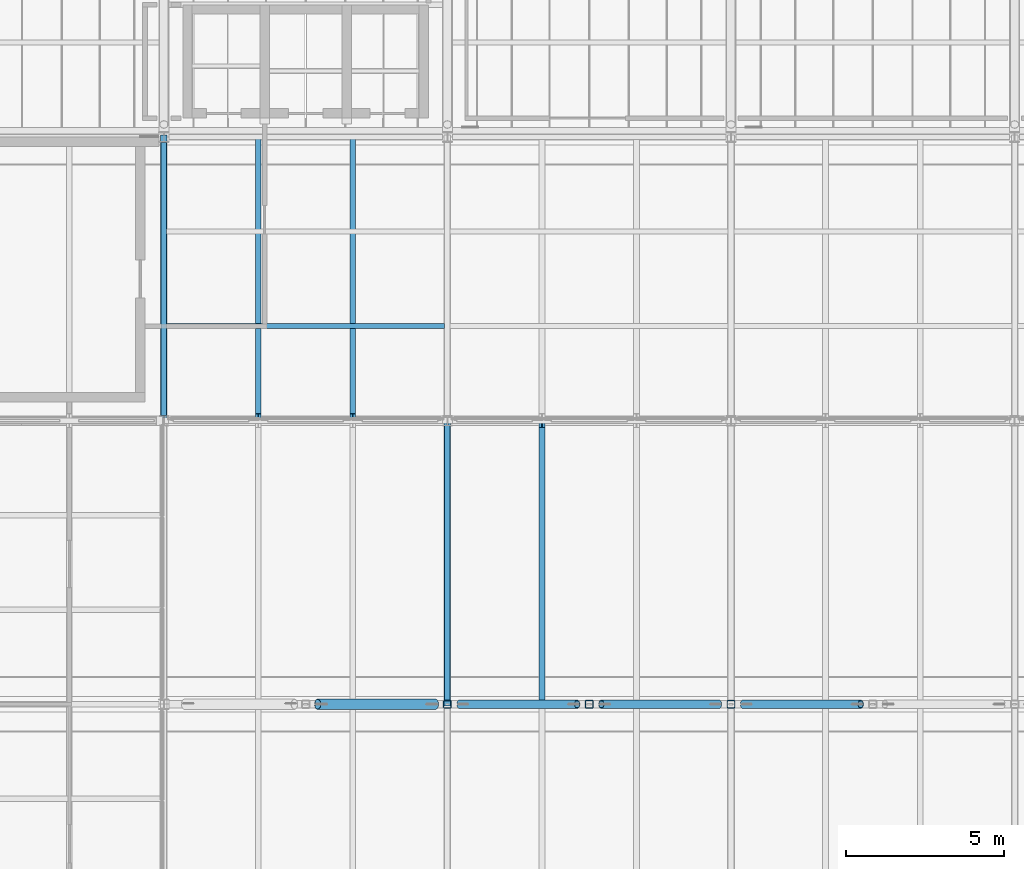
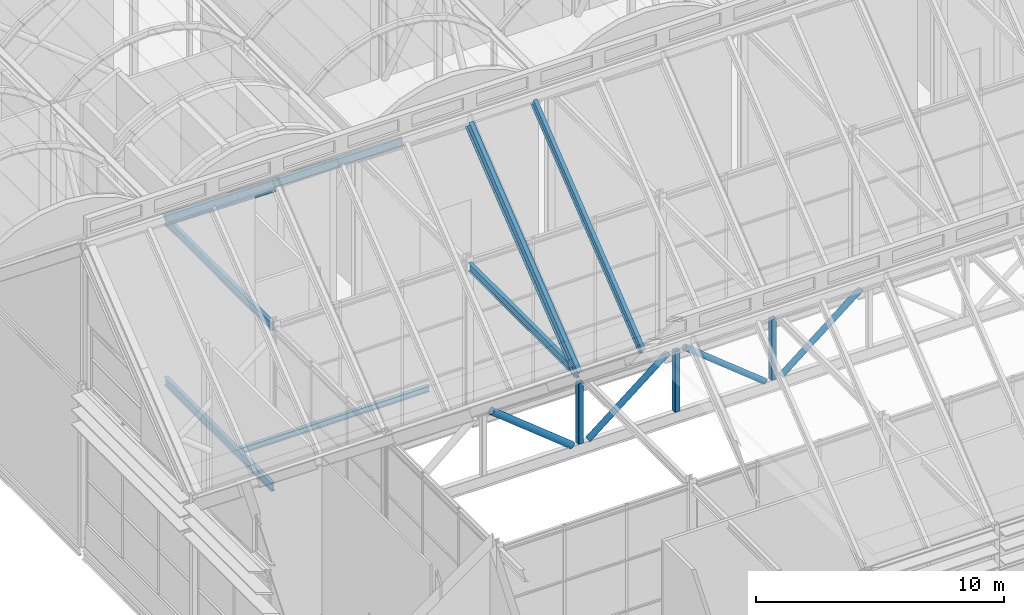
# One storey, part 44 of 144: 12 members, 4 beams.
"""IFC4 building model written with IfcOpenShell, lengths in metres."""

from ifc_helpers import new_model, si_unit, direction, frame, origin, origin_2d, place, context, subcontext, project, spatial, hollow_rectangle, hollow_circle, i_section, extrude, material, material_profile, profile_set, type_object, element, save


model = new_model("IFC4")

# Units and contexts
model_context = context("Model", 3, precision=1e-05, world=origin(), true_north=direction((0.0, 1.0)))
body_context = subcontext(model_context, "Body", "Model", "MODEL_VIEW")
ifc_project = project(units=[si_unit("LENGTHUNIT", "METRE"), si_unit("AREAUNIT", "SQUARE_METRE"), si_unit("VOLUMEUNIT", "CUBIC_METRE"), si_unit("PLANEANGLEUNIT", "RADIAN"), si_unit("MASSUNIT", "GRAM", prefix="KILO")], contexts=[model_context])

# Site, building, storey
site_placement = place(None, origin())
site = spatial("IfcSite", under=ifc_project, at=site_placement, CompositionType="ELEMENT")
building_placement = place(site_placement, origin())
building = spatial("IfcBuilding", under=site, at=building_placement, Name="Shorebreak Coast Museum", CompositionType="ELEMENT")
storey_placement = place(building_placement, frame((0.0, 0.0, 36.0)))
storey = spatial("IfcBuildingStorey", under=building, at=storey_placement, Name="L06", CompositionType="ELEMENT", Elevation=36.0)

# Members
ifc_material_1 = material(Name="Steel Grade C350L0", Category="steel")
ifc_material_profile_1 = material_profile(ifc_material_1, hollow_circle(Radius=0.136474609375, WallThickness=0.00927734375, at=origin_2d()), Name="273.1x9.3 CHS")
ifc_profile_set_1 = profile_set([ifc_material_profile_1], Name="Steel Grade C350L0")
member_type_1 = type_object("IfcMemberType", Name="Atrium roof truss diagonal 273.1x9.3 CHS", PredefinedType="BRACE", material=ifc_profile_set_1)
for number, where, z_axis, x_axis, name in (
    (1, (72.382568359375, 72.0, 4.235595703125), (0.780878769246, 0.0, 0.624682597597), (0.0, 1.0, 0.0), "Atrium roof truss TA3 diagonal D03"),
    (2, (80.617431640625, 72.0, 4.235595703125), (-0.780878769246, 0.0, 0.624682597597), (0.0, -1.0, 0.0), "Atrium roof truss TA3 diagonal D04"),
    (3, (81.382568359375, 72.0, 4.235595703125), (0.780878769246, 0.0, 0.624682597597), (0.0, 1.0, 0.0), "Atrium roof truss TA3 diagonal D05"),
):
    element("IfcMember", number, at=place(storey_placement, frame(where, z_axis=z_axis, x_axis=x_axis)), inside=storey, type_object=member_type_1, Name=name, PredefinedType="BRACE", context=body_context, shape_type="SweptSolid", body=[
        extrude(hollow_circle(Radius=0.136474609375, WallThickness=0.00927734375, at=origin_2d()), origin(), (0.0, 0.0, 1.0), 4.782958984375),
    ])
ifc_material_2 = material(Name="Steel Grade C350L0", Category="steel")
ifc_material_profile_2 = material_profile(ifc_material_2, hollow_circle(Radius=0.161865234375, WallThickness=0.009521484375, at=origin_2d()), Name="323.9x9.5 CHS")
ifc_profile_set_2 = profile_set([ifc_material_profile_2], Name="Steel Grade C350L0")
member_type_2 = type_object("IfcMemberType", Name="Atrium roof truss diagonal 323.9x9.5 CHS", PredefinedType="BRACE", material=ifc_profile_set_2)
member_1_placement = place(storey_placement, frame((71.617431640625, 72.0, 4.235595703125), z_axis=(-0.780878769246, 0.0, 0.624682597597), x_axis=(0.0, -1.0, 0.0)))
element("IfcMember", 4, at=member_1_placement, inside=storey, type_object=member_type_2, Name="Atrium roof truss TA3 diagonal D02", PredefinedType="BRACE", context=body_context, shape_type="SweptSolid", body=[
    extrude(hollow_circle(Radius=0.161865234375, WallThickness=0.009521484375, at=origin_2d()), origin(), (0.0, 0.0, 1.0), 4.782958984375),
])
ifc_material_3 = material(Name="Steel Grade C450L0", Category="steel")
ifc_material_profile_3 = material_profile(ifc_material_3, hollow_rectangle(XDim=0.25, YDim=0.25, WallThickness=0.012451171875, InnerFilletRadius=0.018798828125, OuterFilletRadius=0.03125, at=origin_2d()), Name="250x250x12.5 SHS")
ifc_profile_set_3 = profile_set([ifc_material_profile_3], Name="Steel Grade C450L0")
member_type_3 = type_object("IfcMemberType", Name="Atrium roof truss strut 250x250x12.5 SHS", PredefinedType="STRUT", material=ifc_profile_set_3)
for number, where, z_axis, x_axis, name in (
    (5, (72.0, 72.0, 4.235595703125), (0.0, 0.0, 1.0), (1.0, 0.0, 0.0), "Atrium roof truss TA3 strut V02"),
    (6, (76.5, 72.0, 4.235595703125), (0.0, 0.0, 1.0), (1.0, 0.0, 0.0), "Atrium roof truss TA3 strut V03"),
    (7, (81.0, 72.0, 4.235595703125), (0.0, 0.0, 1.0), (1.0, 0.0, 0.0), "Atrium roof truss TA3 strut V04"),
):
    element("IfcMember", number, at=place(storey_placement, frame(where, z_axis=z_axis, x_axis=x_axis)), inside=storey, type_object=member_type_3, Name=name, PredefinedType="STRUT", context=body_context, shape_type="SweptSolid", body=[
        extrude(hollow_rectangle(XDim=0.25, YDim=0.25, WallThickness=0.012451171875, InnerFilletRadius=0.018798828125, OuterFilletRadius=0.03125, at=origin_2d()), origin(), (0.0, 0.0, 1.0), 2.98779296875),
    ])

# Beams
ifc_material_4 = material(Name="Steel Grade 300", Category="steel")
ifc_material_profile_4 = material_profile(ifc_material_4, i_section(OverallWidth=0.177978515625, OverallDepth=0.406494140625, WebThickness=0.0078125, FlangeThickness=0.0126953125, FilletRadius=0.011474609375, at=origin_2d()), Name="410UB59.7")
ifc_profile_set_4 = profile_set([ifc_material_profile_4], Name="Steel Grade 300")
beam_type_1 = type_object("IfcBeamType", Name="Floor girder north-south 410UB59.7", PredefinedType="BEAM", material=ifc_profile_set_4)
beam_1_placement = place(storey_placement, frame((63.0, 81.1572265625, -0.378173828125), z_axis=(0.0, 1.0, 0.0), x_axis=(-1.0, 0.0, 0.0)))
element("IfcBeam", 8, at=beam_1_placement, inside=storey, type_object=beam_type_1, Name="Floor girder north-south L06 8K", PredefinedType="BEAM", context=body_context, shape_type="SweptSolid", body=[
    extrude(i_section(OverallWidth=0.177978515625, OverallDepth=0.406494140625, WebThickness=0.0078125, FlangeThickness=0.0126953125, FilletRadius=0.011474609375, at=origin_2d()), origin(), (0.0, 0.0, 1.0), 8.67919921875),
])
ifc_material_5 = material(Name="Steel Grade 300", Category="steel")
ifc_material_profile_5 = material_profile(ifc_material_5, i_section(OverallWidth=0.1650390625, OverallDepth=0.303955078125, WebThickness=0.006103515625, FlangeThickness=0.01025390625, FilletRadius=0.011474609375, at=origin_2d()), Name="310UB40.4")
ifc_profile_set_5 = profile_set([ifc_material_profile_5], Name="Steel Grade 300")
beam_type_2 = type_object("IfcBeamType", Name="Floor joist 310UB40.4", PredefinedType="JOIST", material=ifc_profile_set_5)
beam_2_placement = place(storey_placement, frame((63.089111328125, 84.0, -0.326904296875), z_axis=(1.0, 0.0, 0.0), x_axis=(0.0, 1.0, 0.0)))
element("IfcBeam", 9, at=beam_2_placement, inside=storey, type_object=beam_type_2, Name="Floor joist L06 bay 8K at 3000 mm", PredefinedType="JOIST", context=body_context, shape_type="SweptSolid", body=[
    extrude(i_section(OverallWidth=0.1650390625, OverallDepth=0.303955078125, WebThickness=0.006103515625, FlangeThickness=0.01025390625, FilletRadius=0.011474609375, at=origin_2d()), origin(), (0.0, 0.0, 1.0), 8.82177734375),
])

# Members
ifc_material_6 = material(Name="Steel Grade 300", Category="steel")
ifc_material_profile_6 = material_profile(ifc_material_6, i_section(OverallWidth=0.177978515625, OverallDepth=0.402587890625, WebThickness=0.007568359375, FlangeThickness=0.010986328125, FilletRadius=0.011474609375, at=origin_2d()), Name="410UB53.7")
ifc_profile_set_6 = profile_set([ifc_material_profile_6], Name="Steel Grade 300")
member_type_4 = type_object("IfcMemberType", Name="Fold rafter 410UB53.7", PredefinedType="RAFTER", material=ifc_profile_set_6)
member_2_placement = place(storey_placement, frame((75.0, 80.905029296875, 14.610107421875), z_axis=(0.0, -0.780866693621, -0.624697692322), x_axis=(1.0, 0.0, 0.0)))
element("IfcMember", 10, at=member_2_placement, inside=storey, type_object=member_type_4, Name="Fold rafter FOLD-X line 3 08", PredefinedType="RAFTER", context=body_context, shape_type="SweptSolid", body=[
    extrude(i_section(OverallWidth=0.177978515625, OverallDepth=0.402587890625, WebThickness=0.007568359375, FlangeThickness=0.010986328125, FilletRadius=0.011474609375, at=origin_2d()), origin(), (0.0, 0.0, 1.0), 11.25732421875),
])
for number, where, z_axis, x_axis, name in (
    (11, (66.0, 81.094970703125, 14.610107421875), (0.0, 0.780866698312, -0.624697686459), (-1.0, 0.0, 0.0), "Fold rafter FOLD-X line 4 05"),
    (12, (69.0, 81.094970703125, 14.610107421875), (0.0, 0.780866698312, -0.624697686459), (-1.0, 0.0, 0.0), "Fold rafter FOLD-X line 4 06"),
):
    element("IfcMember", number, at=place(storey_placement, frame(where, z_axis=z_axis, x_axis=x_axis)), inside=storey, type_object=member_type_4, Name=name, PredefinedType="RAFTER", context=body_context, shape_type="SweptSolid", body=[
        extrude(i_section(OverallWidth=0.177978515625, OverallDepth=0.402587890625, WebThickness=0.007568359375, FlangeThickness=0.010986328125, FilletRadius=0.011474609375, at=origin_2d()), origin(), (0.0, 0.0, 1.0), 11.282470703125),
    ])
ifc_material_7 = material(Name="Steel Grade 300", Category="steel")
ifc_material_profile_7 = material_profile(ifc_material_7, i_section(OverallWidth=0.208984375, OverallDepth=0.5283203125, WebThickness=0.009521484375, FlangeThickness=0.01318359375, FilletRadius=0.013916015625, at=origin_2d()), Name="530UB82.0")
ifc_profile_set_7 = profile_set([ifc_material_profile_7], Name="Steel Grade 300")
member_type_5 = type_object("IfcMemberType", Name="Fold rib rafter 530UB82.0", PredefinedType="RAFTER", material=ifc_profile_set_7)
member_3_placement = place(storey_placement, frame((72.0, 80.905029296875, 14.52978515625), z_axis=(0.0, -0.780866693621, -0.624697692322), x_axis=(1.0, 0.0, 0.0)))
element("IfcMember", 13, at=member_3_placement, inside=storey, type_object=member_type_5, Name="Fold rib rafter FOLD-X line 3 07", PredefinedType="RAFTER", context=body_context, shape_type="SweptSolid", body=[
    extrude(i_section(OverallWidth=0.208984375, OverallDepth=0.5283203125, WebThickness=0.009521484375, FlangeThickness=0.01318359375, FilletRadius=0.013916015625, at=origin_2d()), origin(), (0.0, 0.0, 1.0), 11.25732421875),
])
member_4_placement = place(storey_placement, frame((63.0, 81.094970703125, 14.52978515625), z_axis=(0.0, 0.780866698312, -0.624697686459), x_axis=(-1.0, 0.0, 0.0)))
element("IfcMember", 14, at=member_4_placement, inside=storey, type_object=member_type_5, Name="Fold rib rafter FOLD-X line 4 04", PredefinedType="RAFTER", context=body_context, shape_type="SweptSolid", body=[
    extrude(i_section(OverallWidth=0.208984375, OverallDepth=0.5283203125, WebThickness=0.009521484375, FlangeThickness=0.01318359375, FilletRadius=0.013916015625, at=origin_2d()), origin(), (0.0, 0.0, 1.0), 11.282470703125),
])

# Beams
ifc_material_8 = material(Name="Steel Grade 300", Category="steel")
ifc_material_profile_8 = material_profile(ifc_material_8, i_section(OverallWidth=0.177978515625, OverallDepth=0.402587890625, WebThickness=0.007568359375, FlangeThickness=0.010986328125, FilletRadius=0.011474609375, at=origin_2d()), Name="410UB53.7")
ifc_profile_set_8 = profile_set([ifc_material_profile_8], Name="Steel Grade 300")
beam_type_3 = type_object("IfcBeamType", Name="Fold rib tie 410UB53.7", PredefinedType="BEAM", material=ifc_profile_set_8)
beam_3_placement = place(storey_placement, frame((63.0, 81.1572265625, 7.54248046875), z_axis=(0.0, 1.0, 0.0), x_axis=(-1.0, 0.0, 0.0)))
element("IfcBeam", 15, at=beam_3_placement, inside=storey, type_object=beam_type_3, Name="Fold rib tie FOLD-X rib 8 K-L", PredefinedType="BEAM", context=body_context, shape_type="SweptSolid", body=[
    extrude(i_section(OverallWidth=0.177978515625, OverallDepth=0.402587890625, WebThickness=0.007568359375, FlangeThickness=0.010986328125, FilletRadius=0.011474609375, at=origin_2d()), origin(), (0.0, 0.0, 1.0), 8.67919921875),
])
beam_4_placement = place(storey_placement, frame((72.0, 72.114501953125, 7.54248046875), z_axis=(0.0, 1.0, 0.0), x_axis=(-1.0, 0.0, 0.0)))
element("IfcBeam", 16, at=beam_4_placement, inside=storey, type_object=beam_type_3, Name="Fold rib tie FOLD-X rib 9 J-K", PredefinedType="BEAM", context=body_context, shape_type="SweptSolid", body=[
    extrude(i_section(OverallWidth=0.177978515625, OverallDepth=0.402587890625, WebThickness=0.007568359375, FlangeThickness=0.010986328125, FilletRadius=0.011474609375, at=origin_2d()), origin(), (0.0, 0.0, 1.0), 8.728271484375),
])

save(model, "model.ifc")
